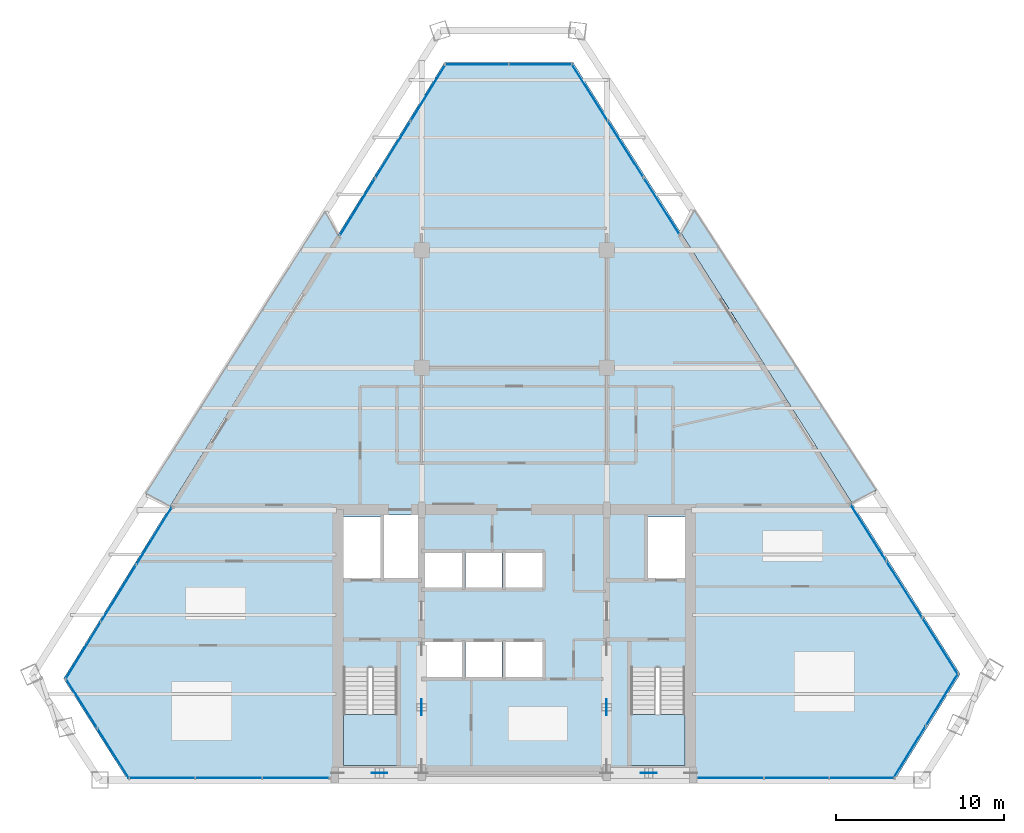
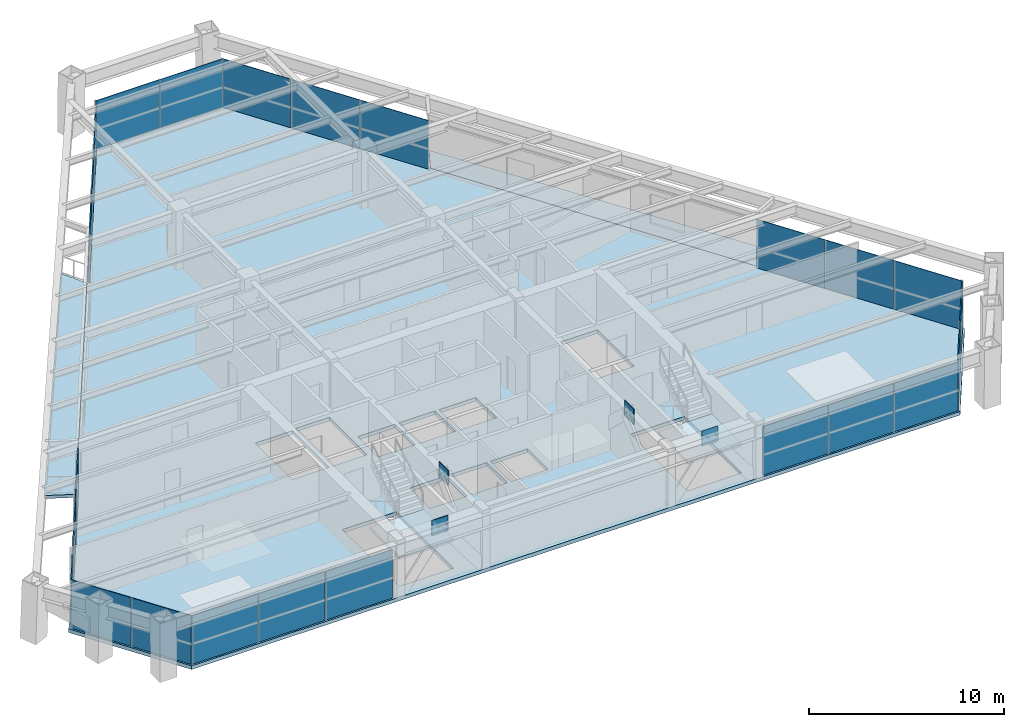
# One storey, part 10 of 15: 28 plates, 5 slabs, 11 elements without a shape of their own.
"""IFC4 building model written with IfcOpenShell, lengths in metres."""

from ifc_helpers import new_model, si_unit, direction, frame, origin, origin_2d, place, context, subcontext, project, spatial, polyline, rectangle, outline, extrude, source, transform, mapped, material, layer, layer_set, type_object, element, aggregate, save


model = new_model("IFC4")

# Units and contexts
model_context = context("Model", 3, precision=1e-05, world=origin(), true_north=direction((0.0, 1.0)))
body_context = subcontext(model_context, "Body", "Model", "MODEL_VIEW")
ifc_project = project(units=[si_unit("LENGTHUNIT", "METRE"), si_unit("AREAUNIT", "SQUARE_METRE"), si_unit("VOLUMEUNIT", "CUBIC_METRE"), si_unit("PLANEANGLEUNIT", "RADIAN"), si_unit("MASSUNIT", "GRAM", prefix="KILO")], contexts=[model_context])

# Site, building, storey
site_placement = place(None, origin())
site = spatial("IfcSite", under=ifc_project, at=site_placement, CompositionType="ELEMENT")
building_placement = place(site_placement, origin())
building = spatial("IfcBuilding", under=site, at=building_placement, Name="Varnakhor Terracotta Tower", CompositionType="ELEMENT")
storey_placement = place(building_placement, frame((0.0, 0.0, 189.5)))
storey = spatial("IfcBuildingStorey", under=building, at=storey_placement, Name="L48", CompositionType="ELEMENT", Elevation=189.5)

# Stair, slab
ifc_material_1 = material(Name="Concrete C40/50", Category="concrete")
stair_type = type_object("IfcStairType", Name="STR-CORE-OFFICE-1500", PredefinedType="HALF_TURN_STAIR", material=ifc_material_1)
stair_1_placement = place(storey_placement, origin())
stair_1 = element("IfcStair", 1, at=stair_1_placement, inside=storey, type_object=stair_type, Name="L48 Core Exit Stair ST-1", PredefinedType="HALF_TURN_STAIR")
ifc_layer_1 = layer(ifc_material_1, 0.179931640625, Name="Concrete C40/50")
ifc_layer_set_1 = layer_set([ifc_layer_1], Name="Concrete C40/50")
slab_type_1 = type_object("IfcSlabType", Name="SLB-LANDING-180", PredefinedType="LANDING", material=ifc_layer_set_1)
slab_1_placement = place(storey_placement, frame((0.0, 0.0, 1.64990234375)))
slab_1 = element("IfcSlab", 2, at=slab_1_placement, type_object=slab_type_1, Name="ST-1 landing 1", PredefinedType="LANDING", context=body_context, shape_type="SweptSolid", body=[
    extrude(outline(polyline([(-10.14990234375, 3.909912109375), (-10.14990234375, 0.85009765625), (-6.949951171875, 0.85009765625), (-6.949951171875, 3.909912109375), (-10.14990234375, 3.909912109375)])), origin(), (0.0, 0.0, 1.0), 0.2001953125),
])
aggregate(stair_1, [slab_1])

stair_2_placement = place(storey_placement, origin())
stair_2 = element("IfcStair", 3, at=stair_2_placement, inside=storey, type_object=stair_type, Name="L48 Core Exit Stair ST-2", PredefinedType="HALF_TURN_STAIR")
slab_2_placement = place(storey_placement, frame((0.0, 0.0, 1.64990234375)))
slab_2 = element("IfcSlab", 4, at=slab_2_placement, type_object=slab_type_1, Name="ST-2 landing 1", PredefinedType="LANDING", context=body_context, shape_type="SweptSolid", body=[
    extrude(outline(polyline([(6.949951171875, 3.909912109375), (6.949951171875, 0.85009765625), (10.14990234375, 0.85009765625), (10.14990234375, 3.909912109375), (6.949951171875, 3.909912109375)])), origin(), (0.0, 0.0, 1.0), 0.2001953125),
])
aggregate(stair_2, [slab_2])

# Slabs
ifc_layer_2 = layer(ifc_material_1, 0.195068359375, Name="Concrete C40/50")
ifc_layer_set_2 = layer_set([ifc_layer_2], Name="Concrete C40/50")
slab_type_2 = type_object("IfcSlabType", Name="SLB-LOGGIA-EXT-195", PredefinedType="FLOOR", material=ifc_layer_set_2)
slab_3_placement = place(storey_placement, frame((0.0, 0.0, -0.195068359375)))
element("IfcSlab", 5, at=slab_3_placement, inside=storey, type_object=slab_type_2, Name="L48 E Recessed Outdoor Loggia Slab", PredefinedType="FLOOR", context=body_context, shape_type="SweptSolid", body=[
    extrude(outline(polyline([(10.686279296875, 33.907470703125), (21.5341796875, 17.2060546875), (20.07763671875, 16.4794921875), (15.014404296875, 24.4775390625), (9.951416015625, 32.4755859375), (10.686279296875, 33.907470703125)])), origin(), (0.0, 0.0, 1.0), 0.195068359375),
])
slab_4_placement = place(storey_placement, frame((0.0, 0.0, -0.195068359375)))
element("IfcSlab", 6, at=slab_4_placement, inside=storey, type_object=slab_type_2, Name="L48 W Recessed Outdoor Loggia Slab", PredefinedType="FLOOR", context=body_context, shape_type="SweptSolid", body=[
    extrude(outline(polyline([(-21.90673828125, 17.001953125), (-11.21533203125, 33.827880859375), (-10.47705078125, 32.3994140625), (-14.676513671875, 25.607666015625), (-20.44140625, 16.283935546875), (-21.90673828125, 17.001953125)])), origin(), (0.0, 0.0, 1.0), 0.195068359375),
])
ifc_layer_3 = layer(ifc_material_1, 0.22998046875, Name="Concrete C40/50")
ifc_layer_set_3 = layer_set([ifc_layer_3], Name="Concrete C40/50")
slab_type_3 = type_object("IfcSlabType", Name="SLB-OFF-230", PredefinedType="FLOOR", material=ifc_layer_set_3)
slab_5_placement = place(storey_placement, frame((0.0, 0.0, -0.22998046875)))
element("IfcSlab", 7, at=slab_5_placement, inside=storey, type_object=slab_type_3, Name="L48 Structural Floor Slab", PredefinedType="FLOOR", context=body_context, shape_type="SweptSolid", body=[
    extrude(outline(polyline([(-26.7822265625, 6.028564453125), (-4.135986328125, 42.65478515625), (3.5078125, 42.65478515625), (26.521484375, 6.30029296875), (22.6259765625, 0.0), (-22.966064453125, 0.0), (-26.7822265625, 6.028564453125)]), holes=[polyline([(-6.949951171875, 0.85009765625), (-6.949951171875, 6.695068359375), (-10.14990234375, 6.695068359375), (-10.14990234375, 0.85009765625), (-6.949951171875, 0.85009765625)]), polyline([(-3.10009765625, 6.10009765625), (-3.10009765625, 8.199951171875), (-5.300048828125, 8.199951171875), (-5.300048828125, 6.10009765625), (-3.10009765625, 6.10009765625)]), polyline([(-0.719970703125, 6.10009765625), (-0.719970703125, 8.199951171875), (-2.8798828125, 8.199951171875), (-2.8798828125, 6.10009765625), (-0.719970703125, 6.10009765625)]), polyline([(-5.300048828125, 11.419921875), (-3.10009765625, 11.419921875), (-3.10009765625, 13.52001953125), (-5.300048828125, 13.52001953125), (-5.300048828125, 11.419921875)]), polyline([(-10.14990234375, 11.8798828125), (-7.949951171875, 11.8798828125), (-7.949951171875, 15.64990234375), (-10.14990234375, 15.64990234375), (-10.14990234375, 11.8798828125)]), polyline([(-5.699951171875, 11.8798828125), (-5.699951171875, 15.75), (-7.72998046875, 15.75), (-7.72998046875, 11.8798828125), (-5.699951171875, 11.8798828125)]), polyline([(6.949951171875, 0.85009765625), (10.14990234375, 0.85009765625), (10.14990234375, 6.695068359375), (6.949951171875, 6.695068359375), (6.949951171875, 0.85009765625)]), polyline([(-0.5, 6.10009765625), (1.699951171875, 6.10009765625), (1.699951171875, 8.199951171875), (-0.5, 8.199951171875), (-0.5, 6.10009765625)]), polyline([(-0.719970703125, 11.419921875), (-0.719970703125, 13.52001953125), (-2.8798828125, 13.52001953125), (-2.8798828125, 11.419921875), (-0.719970703125, 11.419921875)]), polyline([(-0.5, 11.419921875), (1.699951171875, 11.419921875), (1.699951171875, 13.52001953125), (-0.5, 13.52001953125), (-0.5, 11.419921875)]), polyline([(7.949951171875, 11.8798828125), (10.14990234375, 11.8798828125), (10.14990234375, 15.64990234375), (7.949951171875, 15.64990234375), (7.949951171875, 11.8798828125)])]), origin(), (0.0, 0.0, 1.0), 0.22998046875),
])

# Plates
ifc_material_2 = material(Name="Steel S460", Category="steel")
ifc_layer_4 = layer(ifc_material_2, 0.050048828125, Name="Steel S460")
ifc_layer_set_4 = layer_set([ifc_layer_4], Name="Steel S460")
plate_type_1 = type_object("IfcPlateType", Name="PLT-GUSSET-50", PredefinedType="USERDEFINED", material=ifc_layer_set_4)
shared_shape_1 = source(origin(), body_context, "Body", "SweptSolid", [
    extrude(rectangle(XDim=0.949951171875, YDim=0.044921875, at=origin_2d()), origin(), (0.0, 0.0, 1.0), 0.949951171875),
])
for number, where, z_axis, x_axis, name in (
    (8, (-8.0, 0.419921875, 2.84521484375), (0.0, 0.0, 1.0), (1.0, 0.0, 0.0), "L48 Core Brace Apex Gusset CSW"),
    (9, (8.0, 0.419921875, 2.84521484375), (0.0, 0.0, 1.0), (1.0, 0.0, 0.0), "L48 Core Brace Apex Gusset CSE"),
    (10, (-5.5, 4.324951171875, 2.84521484375), (0.0, 0.0, 1.0), (0.0, 1.0, 0.0), "L48 Core Brace Apex Gusset CWW"),
    (11, (5.5, 4.324951171875, 2.84521484375), (0.0, 0.0, 1.0), (0.0, 1.0, 0.0), "L48 Core Brace Apex Gusset CWE"),
):
    element("IfcPlate", number, at=place(storey_placement, frame(where, z_axis=z_axis, x_axis=x_axis)), inside=storey, type_object=plate_type_1, Name=name, ObjectType="GUSSET PLATE", PredefinedType="USERDEFINED", context=body_context, shape_type="MappedRepresentation", body=[
        mapped(shared_shape_1, transform((0.0, 0.0, 0.0), scale=1.0)),
    ])

# Curtain wall, plates
ifc_material_3 = material(Name="Anodised Aluminium Curtain Wall System", Category="aluminium")
curtain_wall_type = type_object("IfcCurtainWallType", Name="CW-SYS-MID-OFFICE", PredefinedType="NOTDEFINED", material=ifc_material_3)
curtain_wall_1_placement = place(storey_placement, origin())
curtain_wall_1 = element("IfcCurtainWall", 12, at=curtain_wall_1_placement, inside=storey, type_object=curtain_wall_type, Name="L48 South Wing Curtain Wall SSE", PredefinedType="NOTDEFINED")
ifc_material_4 = material(Name="Solar-Control Low-E Insulated Glass Panel", Category="glass")
ifc_layer_5 = layer(ifc_material_4, 0.035888671875, Name="Solar-Control Low-E Insulated Glass Panel")
ifc_layer_set_5 = layer_set([ifc_layer_5], Name="Solar-Control Low-E Insulated Glass Panel")
plate_type_2 = type_object("IfcPlateType", Name="CWP-03", PredefinedType="CURTAIN_PANEL", material=ifc_layer_set_5)
shared_shape_2 = source(origin(), body_context, "Body", "SweptSolid", [
    extrude(rectangle(XDim=3.842041015625, YDim=0.035888671875, at=origin_2d()), origin(), (0.0, 0.0, 1.0), 3.050048828125),
])
plate_1_placement = place(storey_placement, frame((20.675048828125, 0.1201171875, 0.0), z_axis=(0.0, 0.0, 1.0), x_axis=(-1.0, 0.0, 0.0)))
plate_1 = element("IfcPlate", 13, at=plate_1_placement, type_object=plate_type_2, Name="L48 South Wing Curtain Wall SSE Glazed Panel 1", PredefinedType="CURTAIN_PANEL", context=body_context, shape_type="MappedRepresentation", body=[
    mapped(shared_shape_2, transform((0.0, 0.0, 0.0), scale=1.0)),
])
plate_2_placement = place(storey_placement, frame((16.79296875, 0.1201171875, 0.0), z_axis=(0.0, 0.0, 1.0), x_axis=(-1.0, 0.0, 0.0)))
plate_2 = element("IfcPlate", 14, at=plate_2_placement, type_object=plate_type_2, Name="L48 South Wing Curtain Wall SSE Glazed Panel 2", PredefinedType="CURTAIN_PANEL", context=body_context, shape_type="MappedRepresentation", body=[
    mapped(shared_shape_2, transform((0.0, 0.0, 0.0), scale=1.0)),
])
plate_3_placement = place(storey_placement, frame((12.910888671875, 0.1201171875, 0.0), z_axis=(0.0, 0.0, 1.0), x_axis=(-1.0, 0.0, 0.0)))
plate_3 = element("IfcPlate", 15, at=plate_3_placement, type_object=plate_type_2, Name="L48 South Wing Curtain Wall SSE Glazed Panel 3", PredefinedType="CURTAIN_PANEL", context=body_context, shape_type="MappedRepresentation", body=[
    mapped(shared_shape_2, transform((0.0, 0.0, 0.0), scale=1.0)),
])
aggregate(curtain_wall_1, [plate_1, plate_2, plate_3])

curtain_wall_2_placement = place(storey_placement, origin())
curtain_wall_2 = element("IfcCurtainWall", 16, at=curtain_wall_2_placement, inside=storey, type_object=curtain_wall_type, Name="L48 W Facet Curtain Wall 1", PredefinedType="NOTDEFINED")
shared_shape_3 = source(origin(), body_context, "Body", "SweptSolid", [
    extrude(rectangle(XDim=3.959228515625, YDim=0.035888671875, at=origin_2d()), origin(), (0.0, 0.0, 1.0), 3.050048828125),
])
plate_4_placement = place(storey_placement, frame((-25.61279296875, 7.691650390625, 0.0), z_axis=(0.0, 0.0, 1.0), x_axis=(0.525887373054, 0.850554213947, 0.0)))
plate_4 = element("IfcPlate", 17, at=plate_4_placement, type_object=plate_type_2, Name="L48 W Facet Curtain Wall 1 Glazed Panel 1", PredefinedType="CURTAIN_PANEL", context=body_context, shape_type="MappedRepresentation", body=[
    mapped(shared_shape_3, transform((0.0, 0.0, 0.0), scale=1.0)),
])
plate_5_placement = place(storey_placement, frame((-21.406494140625, 14.49462890625, 0.0), z_axis=(0.0, 0.0, 1.0), x_axis=(0.525887373054, 0.850554213947, 0.0)))
plate_5 = element("IfcPlate", 18, at=plate_5_placement, type_object=plate_type_2, Name="L48 W Facet Curtain Wall 1 Glazed Panel 3", PredefinedType="CURTAIN_PANEL", context=body_context, shape_type="MappedRepresentation", body=[
    mapped(shared_shape_3, transform((0.0, 0.0, 0.0), scale=1.0)),
])

curtain_wall_3_placement = place(storey_placement, origin())
curtain_wall_3 = element("IfcCurtainWall", 19, at=curtain_wall_3_placement, inside=storey, type_object=curtain_wall_type, Name="L48 W Facet Curtain Wall 2", PredefinedType="NOTDEFINED")
plate_6_placement = place(storey_placement, frame((-9.3076171875, 34.0625, 0.0), z_axis=(0.0, 0.0, 1.0), x_axis=(0.525887373054, 0.850554213947, 0.0)))
plate_6 = element("IfcPlate", 20, at=plate_6_placement, type_object=plate_type_2, Name="L48 W Facet Curtain Wall 2 Glazed Panel 1", PredefinedType="CURTAIN_PANEL", context=body_context, shape_type="MappedRepresentation", body=[
    mapped(shared_shape_3, transform((0.0, 0.0, 0.0), scale=1.0)),
])
plate_7_placement = place(storey_placement, frame((-5.101318359375, 40.865478515625, 0.0), z_axis=(0.0, 0.0, 1.0), x_axis=(0.525887373054, 0.850554213947, 0.0)))
plate_7 = element("IfcPlate", 21, at=plate_7_placement, type_object=plate_type_2, Name="L48 W Facet Curtain Wall 2 Glazed Panel 3", PredefinedType="CURTAIN_PANEL", context=body_context, shape_type="MappedRepresentation", body=[
    mapped(shared_shape_3, transform((0.0, 0.0, 0.0), scale=1.0)),
])

# Plate
shared_shape_4 = source(origin(), body_context, "Body", "SweptSolid", [
    extrude(rectangle(XDim=3.958984375, YDim=0.035888671875, at=origin_2d()), origin(), (0.0, 0.0, 1.0), 3.050048828125),
])
plate_8_placement = place(storey_placement, frame((-23.509765625, 11.093017578125, 0.0), z_axis=(0.0, 0.0, 1.0), x_axis=(0.525887373054, 0.850554213947, 0.0)))
plate_8 = element("IfcPlate", 22, at=plate_8_placement, type_object=plate_type_2, Name="L48 W Facet Curtain Wall 1 Glazed Panel 2", PredefinedType="CURTAIN_PANEL", context=body_context, shape_type="MappedRepresentation", body=[
    mapped(shared_shape_4, transform((0.0, 0.0, 0.0), scale=1.0)),
])

aggregate(curtain_wall_2, [plate_4, plate_8, plate_5])

plate_9_placement = place(storey_placement, frame((-7.204345703125, 37.464111328125, 0.0), z_axis=(0.0, 0.0, 1.0), x_axis=(0.525887373054, 0.850554213947, 0.0)))
plate_9 = element("IfcPlate", 23, at=plate_9_placement, type_object=plate_type_2, Name="L48 W Facet Curtain Wall 2 Glazed Panel 2", PredefinedType="CURTAIN_PANEL", context=body_context, shape_type="MappedRepresentation", body=[
    mapped(shared_shape_4, transform((0.0, 0.0, 0.0), scale=1.0)),
])

aggregate(curtain_wall_3, [plate_6, plate_9, plate_7])

# Curtain wall, plates
curtain_wall_4_placement = place(storey_placement, origin())
curtain_wall_4 = element("IfcCurtainWall", 24, at=curtain_wall_4_placement, inside=storey, type_object=curtain_wall_type, Name="L48 Facet Curtain Wall 2", PredefinedType="NOTDEFINED")
shared_shape_5 = source(origin(), body_context, "Body", "SweptSolid", [
    extrude(rectangle(XDim=3.751953125, YDim=0.035888671875, at=origin_2d()), origin(), (0.0, 0.0, 1.0), 3.050048828125),
])
plate_10_placement = place(storey_placement, frame((-2.210205078125, 42.534912109375, 0.0), z_axis=(0.0, 0.0, 1.0), x_axis=(1.0, 0.0, 0.0)))
plate_10 = element("IfcPlate", 25, at=plate_10_placement, type_object=plate_type_2, Name="L48 Facet Curtain Wall 2 Glazed Panel 1", PredefinedType="CURTAIN_PANEL", context=body_context, shape_type="MappedRepresentation", body=[
    mapped(shared_shape_5, transform((0.0, 0.0, 0.0), scale=1.0)),
])
plate_11_placement = place(storey_placement, frame((1.581787109375, 42.534912109375, 0.0), z_axis=(0.0, 0.0, 1.0), x_axis=(1.0, 0.0, 0.0)))
plate_11 = element("IfcPlate", 26, at=plate_11_placement, type_object=plate_type_2, Name="L48 Facet Curtain Wall 2 Glazed Panel 2", PredefinedType="CURTAIN_PANEL", context=body_context, shape_type="MappedRepresentation", body=[
    mapped(shared_shape_5, transform((0.0, 0.0, 0.0), scale=1.0)),
])
aggregate(curtain_wall_4, [plate_10, plate_11])

curtain_wall_5_placement = place(storey_placement, origin())
curtain_wall_5 = element("IfcCurtainWall", 27, at=curtain_wall_5_placement, inside=storey, type_object=curtain_wall_type, Name="L48 E Facet Curtain Wall 1", PredefinedType="NOTDEFINED")
shared_shape_6 = source(origin(), body_context, "Body", "SweptSolid", [
    extrude(rectangle(XDim=3.955810546875, YDim=0.035888671875, at=origin_2d()), origin(), (0.0, 0.0, 1.0), 3.050048828125),
])
plate_12_placement = place(storey_placement, frame((4.490966796875, 40.877197265625, 0.0), z_axis=(0.0, 0.0, 1.0), x_axis=(0.53486859073, -0.84493525826, 0.0)))
plate_12 = element("IfcPlate", 28, at=plate_12_placement, type_object=plate_type_2, Name="L48 E Facet Curtain Wall 1 Glazed Panel 1", PredefinedType="CURTAIN_PANEL", context=body_context, shape_type="MappedRepresentation", body=[
    mapped(shared_shape_6, transform((0.0, 0.0, 0.0), scale=1.0)),
])
plate_13_placement = place(storey_placement, frame((6.628173828125, 37.501220703125, 0.0), z_axis=(0.0, 0.0, 1.0), x_axis=(0.53486859073, -0.84493525826, 0.0)))
plate_13 = element("IfcPlate", 29, at=plate_13_placement, type_object=plate_type_2, Name="L48 E Facet Curtain Wall 1 Glazed Panel 2", PredefinedType="CURTAIN_PANEL", context=body_context, shape_type="MappedRepresentation", body=[
    mapped(shared_shape_6, transform((0.0, 0.0, 0.0), scale=1.0)),
])
plate_14_placement = place(storey_placement, frame((8.765380859375, 34.125, 0.0), z_axis=(0.0, 0.0, 1.0), x_axis=(0.53486859073, -0.84493525826, 0.0)))
plate_14 = element("IfcPlate", 30, at=plate_14_placement, type_object=plate_type_2, Name="L48 E Facet Curtain Wall 1 Glazed Panel 3", PredefinedType="CURTAIN_PANEL", context=body_context, shape_type="MappedRepresentation", body=[
    mapped(shared_shape_6, transform((0.0, 0.0, 0.0), scale=1.0)),
])
aggregate(curtain_wall_5, [plate_12, plate_13, plate_14])

curtain_wall_6_placement = place(storey_placement, origin())
curtain_wall_6 = element("IfcCurtainWall", 31, at=curtain_wall_6_placement, inside=storey, type_object=curtain_wall_type, Name="L48 E Facet Curtain Wall 2", PredefinedType="NOTDEFINED")
plate_15_placement = place(storey_placement, frame((21.060791015625, 14.701904296875, 0.0), z_axis=(0.0, 0.0, 1.0), x_axis=(0.53486859073, -0.84493525826, 0.0)))
plate_15 = element("IfcPlate", 32, at=plate_15_placement, type_object=plate_type_2, Name="L48 E Facet Curtain Wall 2 Glazed Panel 1", PredefinedType="CURTAIN_PANEL", context=body_context, shape_type="MappedRepresentation", body=[
    mapped(shared_shape_6, transform((0.0, 0.0, 0.0), scale=1.0)),
])
plate_16_placement = place(storey_placement, frame((23.197998046875, 11.32568359375, 0.0), z_axis=(0.0, 0.0, 1.0), x_axis=(0.53486859073, -0.84493525826, 0.0)))
plate_16 = element("IfcPlate", 33, at=plate_16_placement, type_object=plate_type_2, Name="L48 E Facet Curtain Wall 2 Glazed Panel 2", PredefinedType="CURTAIN_PANEL", context=body_context, shape_type="MappedRepresentation", body=[
    mapped(shared_shape_6, transform((0.0, 0.0, 0.0), scale=1.0)),
])
plate_17_placement = place(storey_placement, frame((25.335205078125, 7.94970703125, 0.0), z_axis=(0.0, 0.0, 1.0), x_axis=(0.53486859073, -0.84493525826, 0.0)))
plate_17 = element("IfcPlate", 34, at=plate_17_placement, type_object=plate_type_2, Name="L48 E Facet Curtain Wall 2 Glazed Panel 3", PredefinedType="CURTAIN_PANEL", context=body_context, shape_type="MappedRepresentation", body=[
    mapped(shared_shape_6, transform((0.0, 0.0, 0.0), scale=1.0)),
])
aggregate(curtain_wall_6, [plate_15, plate_16, plate_17])

curtain_wall_7_placement = place(storey_placement, origin())
curtain_wall_7 = element("IfcCurtainWall", 35, at=curtain_wall_7_placement, inside=storey, type_object=curtain_wall_type, Name="L48 Facet Curtain Wall 4", PredefinedType="NOTDEFINED")
shared_shape_7 = source(origin(), body_context, "Body", "SweptSolid", [
    extrude(rectangle(XDim=3.6337890625, YDim=0.035888671875, at=origin_2d()), origin(), (0.0, 0.0, 1.0), 3.050048828125),
])
plate_18_placement = place(storey_placement, frame((25.4375, 4.775634765625, 0.0), z_axis=(0.0, 0.0, 1.0), x_axis=(-0.525887373054, -0.850554213947, 0.0)))
plate_18 = element("IfcPlate", 36, at=plate_18_placement, type_object=plate_type_2, Name="L48 Facet Curtain Wall 4 Glazed Panel 1", PredefinedType="CURTAIN_PANEL", context=body_context, shape_type="MappedRepresentation", body=[
    mapped(shared_shape_7, transform((0.0, 0.0, 0.0), scale=1.0)),
])
plate_19_placement = place(storey_placement, frame((23.505615234375, 1.65087890625, 0.0), z_axis=(0.0, 0.0, 1.0), x_axis=(-0.525887373054, -0.850554213947, 0.0)))
plate_19 = element("IfcPlate", 37, at=plate_19_placement, type_object=plate_type_2, Name="L48 Facet Curtain Wall 4 Glazed Panel 2", PredefinedType="CURTAIN_PANEL", context=body_context, shape_type="MappedRepresentation", body=[
    mapped(shared_shape_7, transform((0.0, 0.0, 0.0), scale=1.0)),
])
aggregate(curtain_wall_7, [plate_18, plate_19])

curtain_wall_8_placement = place(storey_placement, origin())
curtain_wall_8 = element("IfcCurtainWall", 38, at=curtain_wall_8_placement, inside=storey, type_object=curtain_wall_type, Name="L48 South Wing Curtain Wall SSW", PredefinedType="NOTDEFINED")
shared_shape_8 = source(origin(), body_context, "Body", "SweptSolid", [
    extrude(rectangle(XDim=3.955322265625, YDim=0.035888671875, at=origin_2d()), origin(), (0.0, 0.0, 1.0), 3.050048828125),
])
plate_20_placement = place(storey_placement, frame((-12.967529296875, 0.1201171875, 0.0), z_axis=(0.0, 0.0, 1.0), x_axis=(-1.0, 0.0, 0.0)))
plate_20 = element("IfcPlate", 39, at=plate_20_placement, type_object=plate_type_2, Name="L48 South Wing Curtain Wall SSW Glazed Panel 1", PredefinedType="CURTAIN_PANEL", context=body_context, shape_type="MappedRepresentation", body=[
    mapped(shared_shape_8, transform((0.0, 0.0, 0.0), scale=1.0)),
])
plate_21_placement = place(storey_placement, frame((-16.962890625, 0.1201171875, 0.0), z_axis=(0.0, 0.0, 1.0), x_axis=(-1.0, 0.0, 0.0)))
plate_21 = element("IfcPlate", 40, at=plate_21_placement, type_object=plate_type_2, Name="L48 South Wing Curtain Wall SSW Glazed Panel 2", PredefinedType="CURTAIN_PANEL", context=body_context, shape_type="MappedRepresentation", body=[
    mapped(shared_shape_8, transform((0.0, 0.0, 0.0), scale=1.0)),
])
plate_22_placement = place(storey_placement, frame((-20.958251953125, 0.1201171875, 0.0), z_axis=(0.0, 0.0, 1.0), x_axis=(-1.0, 0.0, 0.0)))
plate_22 = element("IfcPlate", 41, at=plate_22_placement, type_object=plate_type_2, Name="L48 South Wing Curtain Wall SSW Glazed Panel 3", PredefinedType="CURTAIN_PANEL", context=body_context, shape_type="MappedRepresentation", body=[
    mapped(shared_shape_8, transform((0.0, 0.0, 0.0), scale=1.0)),
])
aggregate(curtain_wall_8, [plate_20, plate_21, plate_22])

curtain_wall_9_placement = place(storey_placement, origin())
curtain_wall_9 = element("IfcCurtainWall", 42, at=curtain_wall_9_placement, inside=storey, type_object=curtain_wall_type, Name="L48 Facet Curtain Wall 6", PredefinedType="NOTDEFINED")
shared_shape_9 = source(origin(), body_context, "Body", "SweptSolid", [
    extrude(rectangle(XDim=3.497314453125, YDim=0.035888671875, at=origin_2d()), origin(), (0.0, 0.0, 1.0), 3.050048828125),
])
plate_23_placement = place(storey_placement, frame((-23.82666015625, 1.583984375, 0.0), z_axis=(0.0, 0.0, 1.0), x_axis=(-0.53486859073, 0.84493525826, 0.0)))
plate_23 = element("IfcPlate", 43, at=plate_23_placement, type_object=plate_type_2, Name="L48 Facet Curtain Wall 6 Glazed Panel 1", PredefinedType="CURTAIN_PANEL", context=body_context, shape_type="MappedRepresentation", body=[
    mapped(shared_shape_9, transform((0.0, 0.0, 0.0), scale=1.0)),
])
shared_shape_10 = source(origin(), body_context, "Body", "SweptSolid", [
    extrude(rectangle(XDim=3.49755859375, YDim=0.035888671875, at=origin_2d()), origin(), (0.0, 0.0, 1.0), 3.050048828125),
])
plate_24_placement = place(storey_placement, frame((-25.71875, 4.57275390625, 0.0), z_axis=(0.0, 0.0, 1.0), x_axis=(-0.53486859073, 0.84493525826, 0.0)))
plate_24 = element("IfcPlate", 44, at=plate_24_placement, type_object=plate_type_2, Name="L48 Facet Curtain Wall 6 Glazed Panel 2", PredefinedType="CURTAIN_PANEL", context=body_context, shape_type="MappedRepresentation", body=[
    mapped(shared_shape_10, transform((0.0, 0.0, 0.0), scale=1.0)),
])
aggregate(curtain_wall_9, [plate_23, plate_24])

save(model, "model.ifc")
